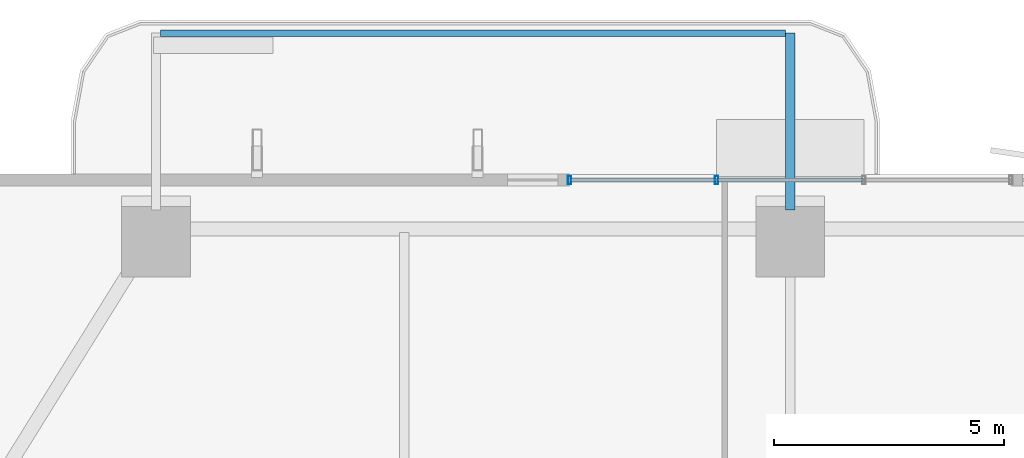
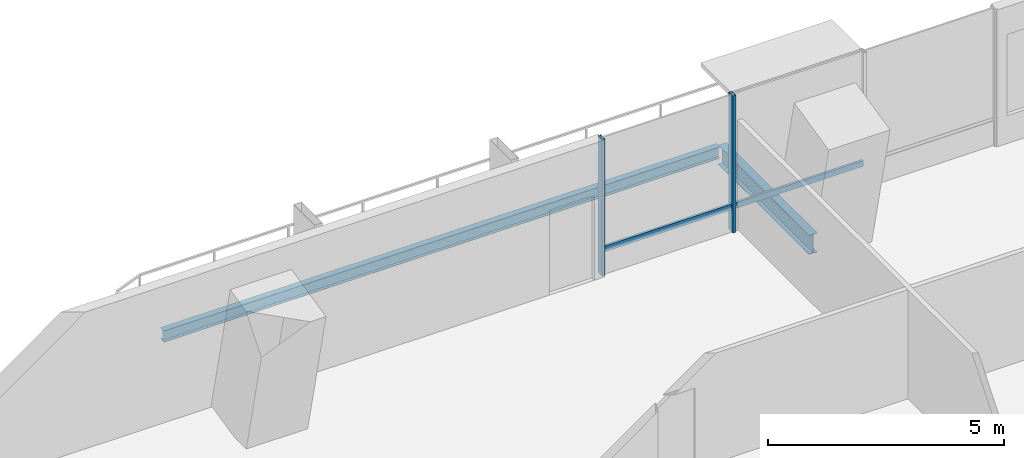
# One storey, part 11 of 24: 4 members, 2 beams, 1 element without a shape of its own.
"""IFC4 building model written with IfcOpenShell, lengths in metres."""

from ifc_helpers import new_model, si_unit, direction, frame, origin, origin_2d, place, context, subcontext, project, spatial, hollow_rectangle, i_section, extrude, material, layer, layer_set, material_profile, profile_set, type_object, element, aggregate, save


model = new_model("IFC4")

# Units and contexts
model_context = context("Model", 3, precision=1e-05, world=origin(), true_north=direction((0.0, 1.0)))
body_context = subcontext(model_context, "Body", "Model", "MODEL_VIEW")
ifc_project = project(units=[si_unit("LENGTHUNIT", "METRE"), si_unit("AREAUNIT", "SQUARE_METRE"), si_unit("VOLUMEUNIT", "CUBIC_METRE"), si_unit("PLANEANGLEUNIT", "RADIAN"), si_unit("MASSUNIT", "GRAM", prefix="KILO")], contexts=[model_context])

# Site, building, storey
site_placement = place(None, origin())
site = spatial("IfcSite", under=ifc_project, at=site_placement, CompositionType="ELEMENT")
building_placement = place(site_placement, origin())
building = spatial("IfcBuilding", under=site, at=building_placement, Name="Belovzor Exchange Tower", CompositionType="ELEMENT")
storey_placement = place(building_placement, frame((0.0, 0.0, 104.10009765625)))
storey = spatial("IfcBuildingStorey", under=building, at=storey_placement, Name="L25", CompositionType="ELEMENT", Elevation=104.10009765625)

# Beams
ifc_material_1 = material(Name="Steel S355", Category="steel")
ifc_material_profile_1 = material_profile(ifc_material_1, i_section(OverallWidth=0.199951171875, OverallDepth=0.5, WebThickness=0.01025390625, FlangeThickness=0.01611328125, at=origin_2d()))
ifc_profile_set_1 = profile_set([ifc_material_profile_1], Name="Steel S355")
beam_type_1 = type_object("IfcBeamType", Name="Planted Balcony Cantilever Beam IPE 500", PredefinedType="BEAM", material=ifc_profile_set_1)
beam_1_placement = place(storey_placement, frame((28.800048828125, 55.9130859375, -0.5), z_axis=(0.0, 1.0, 0.0), x_axis=(-1.0, 0.0, 0.0)))
element("IfcBeam", 1, at=beam_1_placement, inside=storey, type_object=beam_type_1, Name="BC-500 Planted Balcony Cantilever Beam IPE 500", PredefinedType="BEAM", context=body_context, shape_type="SweptSolid", body=[
    extrude(i_section(OverallWidth=0.199951171875, OverallDepth=0.5, WebThickness=0.01025390625, FlangeThickness=0.01611328125, at=origin_2d()), origin(), (0.0, 0.0, 1.0), 3.849853515625),
])
ifc_material_2 = material(Name="Steel S355", Category="steel")
ifc_material_profile_2 = material_profile(ifc_material_2, i_section(OverallWidth=0.14990234375, OverallDepth=0.300048828125, WebThickness=0.007080078125, FlangeThickness=0.0107421875, at=origin_2d()))
ifc_profile_set_2 = profile_set([ifc_material_profile_2], Name="Steel S355")
beam_type_2 = type_object("IfcBeamType", Name="Planted Balcony Fascia Edge Beam IPE 300", PredefinedType="BEAM", material=ifc_profile_set_2)
beam_2_placement = place(storey_placement, frame((28.699951171875, 59.762939453125, -0.400146484375), z_axis=(-1.0, 0.0, 0.0), x_axis=(0.0, -1.0, 0.0)))
element("IfcBeam", 2, at=beam_2_placement, inside=storey, type_object=beam_type_2, Name="BC-300 Planted Balcony Fascia Edge Beam IPE 300", PredefinedType="BEAM", context=body_context, shape_type="SweptSolid", body=[
    extrude(i_section(OverallWidth=0.14990234375, OverallDepth=0.300048828125, WebThickness=0.007080078125, FlangeThickness=0.0107421875, at=origin_2d()), origin(), (0.0, 0.0, 1.0), 13.599853515625),
])

# Curtain wall, members
ifc_material_3 = material(Name="Anodised Aluminium Framing", Category="aluminium")
ifc_layer = layer(ifc_material_3, 0.179931640625)
ifc_layer_set = layer_set([ifc_layer], Name="Anodised Aluminium Framing")
curtain_wall_type = type_object("IfcCurtainWallType", Name="Recessed Loggia Low-Iron Triple-Glazed Curtain Wall", PredefinedType="NOTDEFINED", material=ifc_layer_set)
curtain_wall_placement = place(storey_placement, origin())
curtain_wall = element("IfcCurtainWall", 3, at=curtain_wall_placement, inside=storey, type_object=curtain_wall_type, Name="CW3 Recessed Loggia Low-Iron Triple-Glazed Curtain Wall L25", PredefinedType="NOTDEFINED")
ifc_material_4 = material(Name="Steel S355", Category="steel")
ifc_material_profile_3 = material_profile(ifc_material_4, hollow_rectangle(XDim=0.074951171875, YDim=0.179931640625, WallThickness=0.0048828125, at=origin_2d()))
ifc_profile_set_3 = profile_set([ifc_material_profile_3], Name="Steel S355")
member_type_1 = type_object("IfcMemberType", Name="Thermally Broken Curtain Wall Mullion 180x75", PredefinedType="MULLION", material=ifc_profile_set_3)
member_1_placement = place(storey_placement, frame((24.0, 56.570068359375, 0.0), z_axis=(0.0, 0.0, 1.0), x_axis=(1.0, 0.0, 0.0)))
member_1 = element("IfcMember", 4, at=member_1_placement, type_object=member_type_1, Name="CW-M180 Curtain Wall Mullion 1", PredefinedType="MULLION", context=body_context, shape_type="SweptSolid", body=[
    extrude(hollow_rectangle(XDim=0.074951171875, YDim=0.179931640625, WallThickness=0.0048828125, at=origin_2d()), origin(), (0.0, 0.0, 1.0), 3.539794921875),
])
member_2_placement = place(storey_placement, frame((27.199951171875, 56.570068359375, 0.0), z_axis=(0.0, 0.0, 1.0), x_axis=(1.0, 0.0, 0.0)))
member_2 = element("IfcMember", 5, at=member_2_placement, type_object=member_type_1, Name="CW-M180 Curtain Wall Mullion 2", PredefinedType="MULLION", context=body_context, shape_type="SweptSolid", body=[
    extrude(hollow_rectangle(XDim=0.074951171875, YDim=0.179931640625, WallThickness=0.0048828125, at=origin_2d()), origin(), (0.0, 0.0, 1.0), 3.539794921875),
])
ifc_material_5 = material(Name="Steel S355", Category="steel")
ifc_material_profile_4 = material_profile(ifc_material_5, hollow_rectangle(XDim=0.06005859375, YDim=0.14990234375, WallThickness=0.00390625, at=origin_2d()))
ifc_profile_set_4 = profile_set([ifc_material_profile_4], Name="Steel S355")
member_type_2 = type_object("IfcMemberType", Name="Thermally Broken Curtain Wall Transom 150x60", PredefinedType="USERDEFINED", material=ifc_profile_set_4)
member_3_placement = place(storey_placement, frame((24.008056640625, 56.570068359375, 0.636962890625), z_axis=(1.0, 0.0, 0.0), x_axis=(0.0, 1.0, 0.0)))
member_3 = element("IfcMember", 6, at=member_3_placement, type_object=member_type_2, Name="CW-T150 Curtain Wall Transom 1", ObjectType="TRANSOM", PredefinedType="USERDEFINED", context=body_context, shape_type="SweptSolid", body=[
    extrude(hollow_rectangle(XDim=0.06005859375, YDim=0.14990234375, WallThickness=0.00390625, at=origin_2d()), origin(), (0.0, 0.0, 1.0), 3.183837890625),
])
member_4_placement = place(storey_placement, frame((27.2080078125, 56.570068359375, 0.636962890625), z_axis=(1.0, 0.0, 0.0), x_axis=(0.0, 1.0, 0.0)))
member_4 = element("IfcMember", 7, at=member_4_placement, type_object=member_type_2, Name="CW-T150 Curtain Wall Transom 2", ObjectType="TRANSOM", PredefinedType="USERDEFINED", context=body_context, shape_type="SweptSolid", body=[
    extrude(hollow_rectangle(XDim=0.06005859375, YDim=0.14990234375, WallThickness=0.00390625, at=origin_2d()), origin(), (0.0, 0.0, 1.0), 3.18408203125),
])
aggregate(curtain_wall, [member_1, member_2, member_3, member_4])

save(model, "model.ifc")
